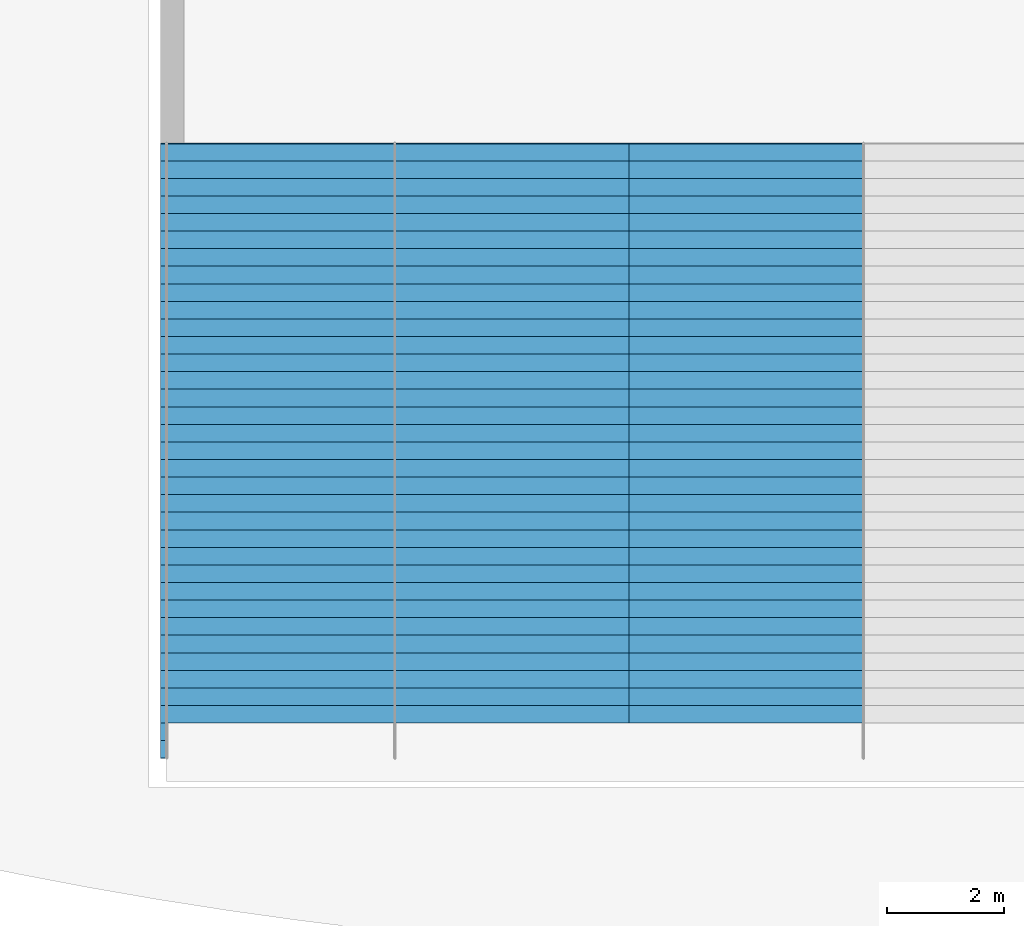
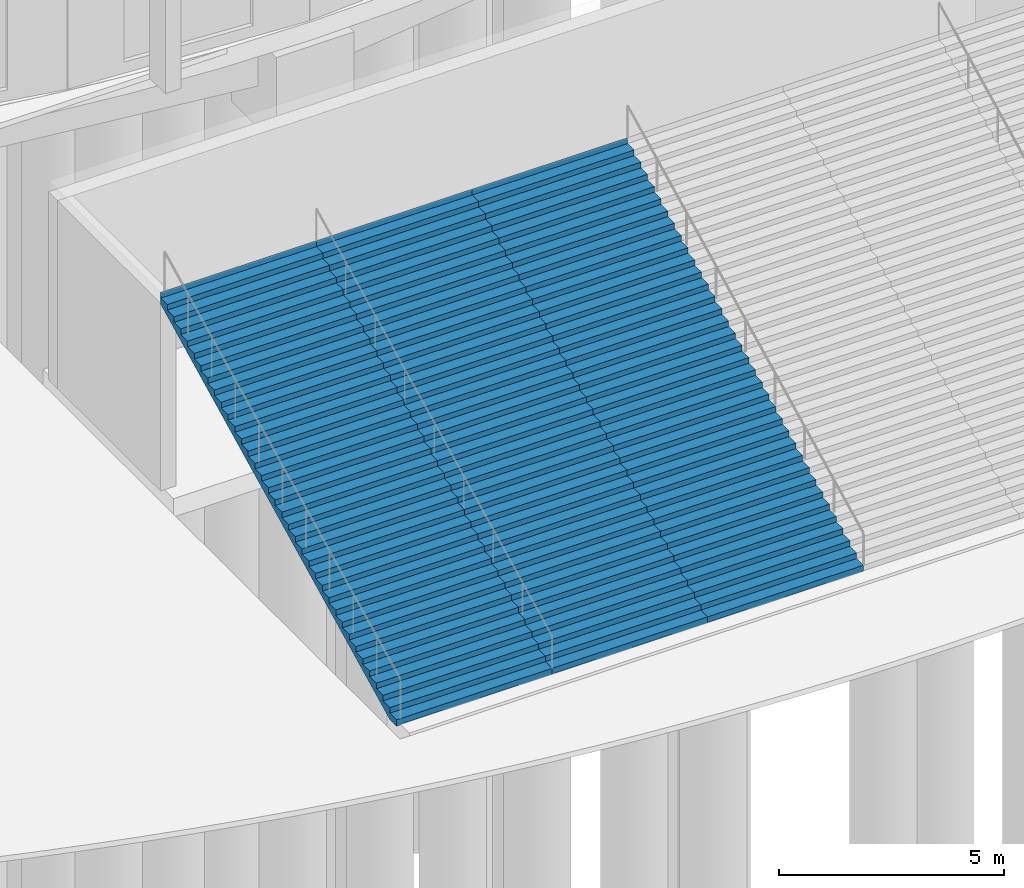
# One storey, part 28 of 41: 3 stair flights, 3 elements without a shape of their own.
"""IFC4 building model written with IfcOpenShell, lengths in metres."""

from ifc_helpers import new_model, si_unit, direction, frame, origin, place, context, subcontext, project, spatial, triangles, material, type_object, element, aggregate, save


model = new_model("IFC4")

# Units and contexts
model_context = context("Model", 3, precision=1e-05, world=origin(), true_north=direction((0.0, 1.0)))
body_context = subcontext(model_context, "Body", "Model", "MODEL_VIEW")
ifc_project = project(units=[si_unit("LENGTHUNIT", "METRE"), si_unit("AREAUNIT", "SQUARE_METRE"), si_unit("VOLUMEUNIT", "CUBIC_METRE"), si_unit("PLANEANGLEUNIT", "RADIAN"), si_unit("MASSUNIT", "GRAM", prefix="KILO")], contexts=[model_context])

# Site, building, storey
site_placement = place(None, origin())
site = spatial("IfcSite", under=ifc_project, at=site_placement, CompositionType="ELEMENT")
building_placement = place(site_placement, origin())
building = spatial("IfcBuilding", under=site, at=building_placement, Name="Maasbend Ring Residences", CompositionType="ELEMENT")
storey_placement = place(building_placement, origin())
storey = spatial("IfcBuildingStorey", under=building, at=storey_placement, Name="L00", CompositionType="ELEMENT", Elevation=0.0)

# Stair, stair flight
ifc_material_1 = material(Name="Concrete C35/45", Category="concrete")
stair_type = type_object("IfcStairType", Name="ST-BROAD", PredefinedType="STRAIGHT_RUN_STAIR", material=ifc_material_1)
stair_1_placement = place(storey_placement, origin())
stair_1 = element("IfcStair", 1, at=stair_1_placement, inside=storey, type_object=stair_type, Name="Broad stair lower flight A", PredefinedType="STRAIGHT_RUN_STAIR")
ifc_material_2 = material(Name="Concrete C35/45", Category="concrete")
stair_flight_type = type_object("IfcStairFlightType", Name="ST-BROAD-FL", PredefinedType="STRAIGHT", material=ifc_material_2)
stair_flight_1_placement = place(storey_placement, frame((-10.0, -70.60009765625, 0.0), z_axis=(0.0, 0.0, 1.0), x_axis=(0.0, 1.0, 0.0)))
stair_flight_1 = element("IfcStairFlight", 2, at=stair_flight_1_placement, type_object=stair_flight_type, Name="ST-B flight 1", NumberOfRisers=36, NumberOfTreads=35, PredefinedType="STRAIGHT", RiserHeight=0.15, TreadLength=0.3, context=body_context, shape_type="Tessellation", body=[
    triangles([(0.298095703125, 2.0, -0.02001953125), (10.5029296875, 2.0, 5.08251953125), (10.5029296875, 2.0, 5.39990234375), (10.489990234375, 2.0, 5.25), (10.199951171875, 2.0, 5.25), (10.199951171875, 2.0, 5.10009765625), (9.89990234375, 2.0, 5.10009765625), (9.89990234375, 2.0, 4.949951171875), (9.60009765625, 2.0, 4.949951171875), (9.60009765625, 2.0, 4.800048828125), (9.300048828125, 2.0, 4.800048828125), (9.300048828125, 2.0, 4.64990234375), (9.0, 2.0, 4.64990234375), (9.0, 2.0, 4.5), (8.699951171875, 2.0, 4.5), (8.699951171875, 2.0, 4.35009765625), (8.39990234375, 2.0, 4.35009765625), (8.39990234375, 2.0, 4.199951171875), (8.10009765625, 2.0, 4.199951171875), (8.10009765625, 2.0, 4.050048828125), (7.800048828125, 2.0, 4.050048828125), (7.800048828125, 2.0, 3.89990234375), (7.5, 2.0, 3.89990234375), (7.5, 2.0, 3.75), (7.199951171875, 2.0, 3.75), (7.199951171875, 2.0, 3.60009765625), (6.89990234375, 2.0, 3.60009765625), (6.89990234375, 2.0, 3.449951171875), (6.60009765625, 2.0, 3.449951171875), (6.60009765625, 2.0, 3.300048828125), (6.300048828125, 2.0, 3.300048828125), (6.300048828125, 2.0, 3.14990234375), (6.0, 2.0, 3.14990234375), (6.0, 2.0, 3.0), (5.699951171875, 2.0, 3.0), (5.699951171875, 2.0, 2.85009765625), (5.39990234375, 2.0, 2.85009765625), (5.39990234375, 2.0, 2.699951171875), (5.10009765625, 2.0, 2.699951171875), (5.10009765625, 2.0, 2.550048828125), (4.800048828125, 2.0, 2.550048828125), (4.800048828125, 2.0, 2.39990234375), (4.5, 2.0, 2.39990234375), (4.5, 2.0, 2.25), (4.199951171875, 2.0, 2.25), (4.199951171875, 2.0, 2.10009765625), (3.89990234375, 2.0, 2.10009765625), (3.89990234375, 2.0, 1.949951171875), (3.60009765625, 2.0, 1.949951171875), (3.60009765625, 2.0, 1.800048828125), (3.300048828125, 2.0, 1.800048828125), (3.300048828125, 2.0, 1.64990234375), (3.0, 2.0, 1.64990234375), (3.0, 2.0, 1.5), (2.699951171875, 2.0, 1.5), (2.699951171875, 2.0, 1.35009765625), (2.39990234375, 2.0, 1.35009765625), (2.39990234375, 2.0, 1.199951171875), (2.10009765625, 2.0, 1.199951171875), (2.10009765625, 2.0, 1.050048828125), (1.800048828125, 2.0, 1.050048828125), (1.800048828125, 2.0, 0.89990234375), (1.5, 2.0, 0.89990234375), (1.5, 2.0, 0.75), (1.199951171875, 2.0, 0.75), (1.199951171875, 2.0, 0.60009765625), (0.89990234375, 2.0, 0.60009765625), (0.89990234375, 2.0, 0.449951171875), (0.60009765625, 2.0, 0.449951171875), (0.60009765625, 2.0, 0.300048828125), (0.300048828125, 2.0, 0.300048828125), (0.300048828125, 2.0, 0.14990234375), (0.0, 2.0, 0.14990234375), (0.0, 2.0, 0.0), (-0.0029296875, 2.0, 0.0), (-0.0029296875, 2.0, -0.02001953125), (0.298095703125, -2.0, -0.02001953125), (10.5029296875, -2.0, 5.08251953125), (10.5029296875, -2.0, 5.39990234375), (10.489990234375, -2.0, 5.25), (10.199951171875, -2.0, 5.25), (10.199951171875, -2.0, 5.10009765625), (9.89990234375, -2.0, 5.10009765625), (9.89990234375, -2.0, 4.949951171875), (9.60009765625, -2.0, 4.949951171875), (9.60009765625, -2.0, 4.800048828125), (9.300048828125, -2.0, 4.800048828125), (9.300048828125, -2.0, 4.64990234375), (9.0, -2.0, 4.64990234375), (9.0, -2.0, 4.5), (8.699951171875, -2.0, 4.5), (8.699951171875, -2.0, 4.35009765625), (8.39990234375, -2.0, 4.35009765625), (8.39990234375, -2.0, 4.199951171875), (8.10009765625, -2.0, 4.199951171875), (8.10009765625, -2.0, 4.050048828125), (7.800048828125, -2.0, 4.050048828125), (7.800048828125, -2.0, 3.89990234375), (7.5, -2.0, 3.89990234375), (7.5, -2.0, 3.75), (7.199951171875, -2.0, 3.75), (7.199951171875, -2.0, 3.60009765625), (6.89990234375, -2.0, 3.60009765625), (6.89990234375, -2.0, 3.449951171875), (6.60009765625, -2.0, 3.449951171875), (6.60009765625, -2.0, 3.300048828125), (6.300048828125, -2.0, 3.300048828125), (6.300048828125, -2.0, 3.14990234375), (6.0, -2.0, 3.14990234375), (6.0, -2.0, 3.0), (5.699951171875, -2.0, 3.0), (5.699951171875, -2.0, 2.85009765625), (5.39990234375, -2.0, 2.85009765625), (5.39990234375, -2.0, 2.699951171875), (5.10009765625, -2.0, 2.699951171875), (5.10009765625, -2.0, 2.550048828125), (4.800048828125, -2.0, 2.550048828125), (4.800048828125, -2.0, 2.39990234375), (4.5, -2.0, 2.39990234375), (4.5, -2.0, 2.25), (4.199951171875, -2.0, 2.25), (4.199951171875, -2.0, 2.10009765625), (3.89990234375, -2.0, 2.10009765625), (3.89990234375, -2.0, 1.949951171875), (3.60009765625, -2.0, 1.949951171875), (3.60009765625, -2.0, 1.800048828125), (3.300048828125, -2.0, 1.800048828125), (3.300048828125, -2.0, 1.64990234375), (3.0, -2.0, 1.64990234375), (3.0, -2.0, 1.5), (2.699951171875, -2.0, 1.5), (2.699951171875, -2.0, 1.35009765625), (2.39990234375, -2.0, 1.35009765625), (2.39990234375, -2.0, 1.199951171875), (2.10009765625, -2.0, 1.199951171875), (2.10009765625, -2.0, 1.050048828125), (1.800048828125, -2.0, 1.050048828125), (1.800048828125, -2.0, 0.89990234375), (1.5, -2.0, 0.89990234375), (1.5, -2.0, 0.75), (1.199951171875, -2.0, 0.75), (1.199951171875, -2.0, 0.60009765625), (0.89990234375, -2.0, 0.60009765625), (0.89990234375, -2.0, 0.449951171875), (0.60009765625, -2.0, 0.449951171875), (0.60009765625, -2.0, 0.300048828125), (0.300048828125, -2.0, 0.300048828125), (0.300048828125, -2.0, 0.14990234375), (0.0, -2.0, 0.14990234375), (0.0, -2.0, 0.0), (-0.0029296875, -2.0, 0.0), (-0.0029296875, -2.0, -0.02001953125)], [[1, 2, 78], [1, 78, 77], [2, 3, 79], [2, 79, 78], [3, 4, 80], [3, 80, 79], [4, 5, 81], [4, 81, 80], [5, 6, 82], [5, 82, 81], [6, 7, 83], [6, 83, 82], [7, 8, 84], [7, 84, 83], [8, 9, 85], [8, 85, 84], [9, 10, 86], [9, 86, 85], [10, 11, 87], [10, 87, 86], [11, 12, 88], [11, 88, 87], [12, 13, 89], [12, 89, 88], [13, 14, 90], [13, 90, 89], [14, 15, 91], [14, 91, 90], [15, 16, 92], [15, 92, 91], [16, 17, 93], [16, 93, 92], [17, 18, 94], [17, 94, 93], [18, 19, 95], [18, 95, 94], [19, 20, 96], [19, 96, 95], [20, 21, 97], [20, 97, 96], [21, 22, 98], [21, 98, 97], [22, 23, 99], [22, 99, 98], [23, 24, 100], [23, 100, 99], [24, 25, 101], [24, 101, 100], [25, 26, 102], [25, 102, 101], [26, 27, 103], [26, 103, 102], [27, 28, 104], [27, 104, 103], [28, 29, 105], [28, 105, 104], [29, 30, 106], [29, 106, 105], [30, 31, 107], [30, 107, 106], [31, 32, 108], [31, 108, 107], [32, 33, 109], [32, 109, 108], [33, 34, 110], [33, 110, 109], [34, 35, 111], [34, 111, 110], [35, 36, 112], [35, 112, 111], [36, 37, 113], [36, 113, 112], [37, 38, 114], [37, 114, 113], [38, 39, 115], [38, 115, 114], [39, 40, 116], [39, 116, 115], [40, 41, 117], [40, 117, 116], [41, 42, 118], [41, 118, 117], [42, 43, 119], [42, 119, 118], [43, 44, 120], [43, 120, 119], [44, 45, 121], [44, 121, 120], [45, 46, 122], [45, 122, 121], [46, 47, 123], [46, 123, 122], [47, 48, 124], [47, 124, 123], [48, 49, 125], [48, 125, 124], [49, 50, 126], [49, 126, 125], [50, 51, 127], [50, 127, 126], [51, 52, 128], [51, 128, 127], [52, 53, 129], [52, 129, 128], [53, 54, 130], [53, 130, 129], [54, 55, 131], [54, 131, 130], [55, 56, 132], [55, 132, 131], [56, 57, 133], [56, 133, 132], [57, 58, 134], [57, 134, 133], [58, 59, 135], [58, 135, 134], [59, 60, 136], [59, 136, 135], [60, 61, 137], [60, 137, 136], [61, 62, 138], [61, 138, 137], [62, 63, 139], [62, 139, 138], [63, 64, 140], [63, 140, 139], [64, 65, 141], [64, 141, 140], [65, 66, 142], [65, 142, 141], [66, 67, 143], [66, 143, 142], [67, 68, 144], [67, 144, 143], [68, 69, 145], [68, 145, 144], [69, 70, 146], [69, 146, 145], [70, 71, 147], [70, 147, 146], [71, 72, 148], [71, 148, 147], [72, 73, 149], [72, 149, 148], [73, 74, 150], [73, 150, 149], [74, 75, 151], [74, 151, 150], [75, 76, 152], [75, 152, 151], [76, 1, 77], [76, 77, 152], [76, 2, 1], [2, 4, 3], [2, 5, 4], [2, 6, 5], [76, 6, 2], [6, 8, 7], [76, 8, 6], [8, 10, 9], [76, 10, 8], [10, 12, 11], [76, 12, 10], [12, 14, 13], [76, 14, 12], [14, 16, 15], [76, 16, 14], [16, 18, 17], [76, 18, 16], [18, 20, 19], [76, 20, 18], [20, 22, 21], [76, 22, 20], [22, 24, 23], [76, 24, 22], [24, 26, 25], [76, 26, 24], [26, 28, 27], [76, 28, 26], [28, 30, 29], [76, 30, 28], [30, 32, 31], [76, 32, 30], [32, 34, 33], [76, 34, 32], [34, 36, 35], [76, 36, 34], [36, 38, 37], [76, 38, 36], [38, 40, 39], [76, 40, 38], [40, 42, 41], [76, 42, 40], [42, 44, 43], [76, 44, 42], [44, 46, 45], [76, 46, 44], [46, 48, 47], [76, 48, 46], [48, 50, 49], [76, 50, 48], [50, 52, 51], [76, 52, 50], [52, 54, 53], [76, 54, 52], [54, 56, 55], [76, 56, 54], [56, 58, 57], [76, 58, 56], [58, 60, 59], [76, 60, 58], [60, 62, 61], [76, 62, 60], [62, 64, 63], [76, 64, 62], [64, 66, 65], [76, 66, 64], [66, 68, 67], [76, 68, 66], [68, 70, 69], [76, 70, 68], [70, 72, 71], [76, 72, 70], [72, 74, 73], [76, 74, 72], [74, 76, 75], [152, 77, 78], [78, 79, 80], [78, 80, 81], [78, 81, 82], [152, 78, 82], [82, 83, 84], [152, 82, 84], [84, 85, 86], [152, 84, 86], [86, 87, 88], [152, 86, 88], [88, 89, 90], [152, 88, 90], [90, 91, 92], [152, 90, 92], [92, 93, 94], [152, 92, 94], [94, 95, 96], [152, 94, 96], [96, 97, 98], [152, 96, 98], [98, 99, 100], [152, 98, 100], [100, 101, 102], [152, 100, 102], [102, 103, 104], [152, 102, 104], [104, 105, 106], [152, 104, 106], [106, 107, 108], [152, 106, 108], [108, 109, 110], [152, 108, 110], [110, 111, 112], [152, 110, 112], [112, 113, 114], [152, 112, 114], [114, 115, 116], [152, 114, 116], [116, 117, 118], [152, 116, 118], [118, 119, 120], [152, 118, 120], [120, 121, 122], [152, 120, 122], [122, 123, 124], [152, 122, 124], [124, 125, 126], [152, 124, 126], [126, 127, 128], [152, 126, 128], [128, 129, 130], [152, 128, 130], [130, 131, 132], [152, 130, 132], [132, 133, 134], [152, 132, 134], [134, 135, 136], [152, 134, 136], [136, 137, 138], [152, 136, 138], [138, 139, 140], [152, 138, 140], [140, 141, 142], [152, 140, 142], [142, 143, 144], [152, 142, 144], [144, 145, 146], [152, 144, 146], [146, 147, 148], [152, 146, 148], [148, 149, 150], [152, 148, 150], [150, 151, 152]], closed=True),
])
aggregate(stair_1, [stair_flight_1])

stair_2_placement = place(storey_placement, origin())
stair_2 = element("IfcStair", 3, at=stair_2_placement, inside=storey, type_object=stair_type, Name="Broad stair lower flight B", PredefinedType="STRAIGHT_RUN_STAIR")
stair_flight_2_placement = place(storey_placement, frame((-6.0, -70.60009765625, 0.0), z_axis=(0.0, 0.0, 1.0), x_axis=(0.0, 1.0, 0.0)))
stair_flight_2 = element("IfcStairFlight", 4, at=stair_flight_2_placement, type_object=stair_flight_type, Name="ST-B flight 1", NumberOfRisers=36, NumberOfTreads=35, PredefinedType="STRAIGHT", RiserHeight=0.15, TreadLength=0.3, context=body_context, shape_type="Tessellation", body=[
    triangles([(0.298095703125, 2.0, -0.02001953125), (10.5029296875, 2.0, 5.08251953125), (10.5029296875, 2.0, 5.39990234375), (10.489990234375, 2.0, 5.25), (10.199951171875, 2.0, 5.25), (10.199951171875, 2.0, 5.10009765625), (9.89990234375, 2.0, 5.10009765625), (9.89990234375, 2.0, 4.949951171875), (9.60009765625, 2.0, 4.949951171875), (9.60009765625, 2.0, 4.800048828125), (9.300048828125, 2.0, 4.800048828125), (9.300048828125, 2.0, 4.64990234375), (9.0, 2.0, 4.64990234375), (9.0, 2.0, 4.5), (8.699951171875, 2.0, 4.5), (8.699951171875, 2.0, 4.35009765625), (8.39990234375, 2.0, 4.35009765625), (8.39990234375, 2.0, 4.199951171875), (8.10009765625, 2.0, 4.199951171875), (8.10009765625, 2.0, 4.050048828125), (7.800048828125, 2.0, 4.050048828125), (7.800048828125, 2.0, 3.89990234375), (7.5, 2.0, 3.89990234375), (7.5, 2.0, 3.75), (7.199951171875, 2.0, 3.75), (7.199951171875, 2.0, 3.60009765625), (6.89990234375, 2.0, 3.60009765625), (6.89990234375, 2.0, 3.449951171875), (6.60009765625, 2.0, 3.449951171875), (6.60009765625, 2.0, 3.300048828125), (6.300048828125, 2.0, 3.300048828125), (6.300048828125, 2.0, 3.14990234375), (6.0, 2.0, 3.14990234375), (6.0, 2.0, 3.0), (5.699951171875, 2.0, 3.0), (5.699951171875, 2.0, 2.85009765625), (5.39990234375, 2.0, 2.85009765625), (5.39990234375, 2.0, 2.699951171875), (5.10009765625, 2.0, 2.699951171875), (5.10009765625, 2.0, 2.550048828125), (4.800048828125, 2.0, 2.550048828125), (4.800048828125, 2.0, 2.39990234375), (4.5, 2.0, 2.39990234375), (4.5, 2.0, 2.25), (4.199951171875, 2.0, 2.25), (4.199951171875, 2.0, 2.10009765625), (3.89990234375, 2.0, 2.10009765625), (3.89990234375, 2.0, 1.949951171875), (3.60009765625, 2.0, 1.949951171875), (3.60009765625, 2.0, 1.800048828125), (3.300048828125, 2.0, 1.800048828125), (3.300048828125, 2.0, 1.64990234375), (3.0, 2.0, 1.64990234375), (3.0, 2.0, 1.5), (2.699951171875, 2.0, 1.5), (2.699951171875, 2.0, 1.35009765625), (2.39990234375, 2.0, 1.35009765625), (2.39990234375, 2.0, 1.199951171875), (2.10009765625, 2.0, 1.199951171875), (2.10009765625, 2.0, 1.050048828125), (1.800048828125, 2.0, 1.050048828125), (1.800048828125, 2.0, 0.89990234375), (1.5, 2.0, 0.89990234375), (1.5, 2.0, 0.75), (1.199951171875, 2.0, 0.75), (1.199951171875, 2.0, 0.60009765625), (0.89990234375, 2.0, 0.60009765625), (0.89990234375, 2.0, 0.449951171875), (0.60009765625, 2.0, 0.449951171875), (0.60009765625, 2.0, 0.300048828125), (0.300048828125, 2.0, 0.300048828125), (0.300048828125, 2.0, 0.14990234375), (0.0, 2.0, 0.14990234375), (0.0, 2.0, 0.0), (-0.0029296875, 2.0, 0.0), (-0.0029296875, 2.0, -0.02001953125), (0.298095703125, -2.0, -0.02001953125), (10.5029296875, -2.0, 5.08251953125), (10.5029296875, -2.0, 5.39990234375), (10.489990234375, -2.0, 5.25), (10.199951171875, -2.0, 5.25), (10.199951171875, -2.0, 5.10009765625), (9.89990234375, -2.0, 5.10009765625), (9.89990234375, -2.0, 4.949951171875), (9.60009765625, -2.0, 4.949951171875), (9.60009765625, -2.0, 4.800048828125), (9.300048828125, -2.0, 4.800048828125), (9.300048828125, -2.0, 4.64990234375), (9.0, -2.0, 4.64990234375), (9.0, -2.0, 4.5), (8.699951171875, -2.0, 4.5), (8.699951171875, -2.0, 4.35009765625), (8.39990234375, -2.0, 4.35009765625), (8.39990234375, -2.0, 4.199951171875), (8.10009765625, -2.0, 4.199951171875), (8.10009765625, -2.0, 4.050048828125), (7.800048828125, -2.0, 4.050048828125), (7.800048828125, -2.0, 3.89990234375), (7.5, -2.0, 3.89990234375), (7.5, -2.0, 3.75), (7.199951171875, -2.0, 3.75), (7.199951171875, -2.0, 3.60009765625), (6.89990234375, -2.0, 3.60009765625), (6.89990234375, -2.0, 3.449951171875), (6.60009765625, -2.0, 3.449951171875), (6.60009765625, -2.0, 3.300048828125), (6.300048828125, -2.0, 3.300048828125), (6.300048828125, -2.0, 3.14990234375), (6.0, -2.0, 3.14990234375), (6.0, -2.0, 3.0), (5.699951171875, -2.0, 3.0), (5.699951171875, -2.0, 2.85009765625), (5.39990234375, -2.0, 2.85009765625), (5.39990234375, -2.0, 2.699951171875), (5.10009765625, -2.0, 2.699951171875), (5.10009765625, -2.0, 2.550048828125), (4.800048828125, -2.0, 2.550048828125), (4.800048828125, -2.0, 2.39990234375), (4.5, -2.0, 2.39990234375), (4.5, -2.0, 2.25), (4.199951171875, -2.0, 2.25), (4.199951171875, -2.0, 2.10009765625), (3.89990234375, -2.0, 2.10009765625), (3.89990234375, -2.0, 1.949951171875), (3.60009765625, -2.0, 1.949951171875), (3.60009765625, -2.0, 1.800048828125), (3.300048828125, -2.0, 1.800048828125), (3.300048828125, -2.0, 1.64990234375), (3.0, -2.0, 1.64990234375), (3.0, -2.0, 1.5), (2.699951171875, -2.0, 1.5), (2.699951171875, -2.0, 1.35009765625), (2.39990234375, -2.0, 1.35009765625), (2.39990234375, -2.0, 1.199951171875), (2.10009765625, -2.0, 1.199951171875), (2.10009765625, -2.0, 1.050048828125), (1.800048828125, -2.0, 1.050048828125), (1.800048828125, -2.0, 0.89990234375), (1.5, -2.0, 0.89990234375), (1.5, -2.0, 0.75), (1.199951171875, -2.0, 0.75), (1.199951171875, -2.0, 0.60009765625), (0.89990234375, -2.0, 0.60009765625), (0.89990234375, -2.0, 0.449951171875), (0.60009765625, -2.0, 0.449951171875), (0.60009765625, -2.0, 0.300048828125), (0.300048828125, -2.0, 0.300048828125), (0.300048828125, -2.0, 0.14990234375), (0.0, -2.0, 0.14990234375), (0.0, -2.0, 0.0), (-0.0029296875, -2.0, 0.0), (-0.0029296875, -2.0, -0.02001953125)], [[1, 2, 78], [1, 78, 77], [2, 3, 79], [2, 79, 78], [3, 4, 80], [3, 80, 79], [4, 5, 81], [4, 81, 80], [5, 6, 82], [5, 82, 81], [6, 7, 83], [6, 83, 82], [7, 8, 84], [7, 84, 83], [8, 9, 85], [8, 85, 84], [9, 10, 86], [9, 86, 85], [10, 11, 87], [10, 87, 86], [11, 12, 88], [11, 88, 87], [12, 13, 89], [12, 89, 88], [13, 14, 90], [13, 90, 89], [14, 15, 91], [14, 91, 90], [15, 16, 92], [15, 92, 91], [16, 17, 93], [16, 93, 92], [17, 18, 94], [17, 94, 93], [18, 19, 95], [18, 95, 94], [19, 20, 96], [19, 96, 95], [20, 21, 97], [20, 97, 96], [21, 22, 98], [21, 98, 97], [22, 23, 99], [22, 99, 98], [23, 24, 100], [23, 100, 99], [24, 25, 101], [24, 101, 100], [25, 26, 102], [25, 102, 101], [26, 27, 103], [26, 103, 102], [27, 28, 104], [27, 104, 103], [28, 29, 105], [28, 105, 104], [29, 30, 106], [29, 106, 105], [30, 31, 107], [30, 107, 106], [31, 32, 108], [31, 108, 107], [32, 33, 109], [32, 109, 108], [33, 34, 110], [33, 110, 109], [34, 35, 111], [34, 111, 110], [35, 36, 112], [35, 112, 111], [36, 37, 113], [36, 113, 112], [37, 38, 114], [37, 114, 113], [38, 39, 115], [38, 115, 114], [39, 40, 116], [39, 116, 115], [40, 41, 117], [40, 117, 116], [41, 42, 118], [41, 118, 117], [42, 43, 119], [42, 119, 118], [43, 44, 120], [43, 120, 119], [44, 45, 121], [44, 121, 120], [45, 46, 122], [45, 122, 121], [46, 47, 123], [46, 123, 122], [47, 48, 124], [47, 124, 123], [48, 49, 125], [48, 125, 124], [49, 50, 126], [49, 126, 125], [50, 51, 127], [50, 127, 126], [51, 52, 128], [51, 128, 127], [52, 53, 129], [52, 129, 128], [53, 54, 130], [53, 130, 129], [54, 55, 131], [54, 131, 130], [55, 56, 132], [55, 132, 131], [56, 57, 133], [56, 133, 132], [57, 58, 134], [57, 134, 133], [58, 59, 135], [58, 135, 134], [59, 60, 136], [59, 136, 135], [60, 61, 137], [60, 137, 136], [61, 62, 138], [61, 138, 137], [62, 63, 139], [62, 139, 138], [63, 64, 140], [63, 140, 139], [64, 65, 141], [64, 141, 140], [65, 66, 142], [65, 142, 141], [66, 67, 143], [66, 143, 142], [67, 68, 144], [67, 144, 143], [68, 69, 145], [68, 145, 144], [69, 70, 146], [69, 146, 145], [70, 71, 147], [70, 147, 146], [71, 72, 148], [71, 148, 147], [72, 73, 149], [72, 149, 148], [73, 74, 150], [73, 150, 149], [74, 75, 151], [74, 151, 150], [75, 76, 152], [75, 152, 151], [76, 1, 77], [76, 77, 152], [76, 2, 1], [2, 4, 3], [2, 5, 4], [2, 6, 5], [76, 6, 2], [6, 8, 7], [76, 8, 6], [8, 10, 9], [76, 10, 8], [10, 12, 11], [76, 12, 10], [12, 14, 13], [76, 14, 12], [14, 16, 15], [76, 16, 14], [16, 18, 17], [76, 18, 16], [18, 20, 19], [76, 20, 18], [20, 22, 21], [76, 22, 20], [22, 24, 23], [76, 24, 22], [24, 26, 25], [76, 26, 24], [26, 28, 27], [76, 28, 26], [28, 30, 29], [76, 30, 28], [30, 32, 31], [76, 32, 30], [32, 34, 33], [76, 34, 32], [34, 36, 35], [76, 36, 34], [36, 38, 37], [76, 38, 36], [38, 40, 39], [76, 40, 38], [40, 42, 41], [76, 42, 40], [42, 44, 43], [76, 44, 42], [44, 46, 45], [76, 46, 44], [46, 48, 47], [76, 48, 46], [48, 50, 49], [76, 50, 48], [50, 52, 51], [76, 52, 50], [52, 54, 53], [76, 54, 52], [54, 56, 55], [76, 56, 54], [56, 58, 57], [76, 58, 56], [58, 60, 59], [76, 60, 58], [60, 62, 61], [76, 62, 60], [62, 64, 63], [76, 64, 62], [64, 66, 65], [76, 66, 64], [66, 68, 67], [76, 68, 66], [68, 70, 69], [76, 70, 68], [70, 72, 71], [76, 72, 70], [72, 74, 73], [76, 74, 72], [74, 76, 75], [152, 77, 78], [78, 79, 80], [78, 80, 81], [78, 81, 82], [152, 78, 82], [82, 83, 84], [152, 82, 84], [84, 85, 86], [152, 84, 86], [86, 87, 88], [152, 86, 88], [88, 89, 90], [152, 88, 90], [90, 91, 92], [152, 90, 92], [92, 93, 94], [152, 92, 94], [94, 95, 96], [152, 94, 96], [96, 97, 98], [152, 96, 98], [98, 99, 100], [152, 98, 100], [100, 101, 102], [152, 100, 102], [102, 103, 104], [152, 102, 104], [104, 105, 106], [152, 104, 106], [106, 107, 108], [152, 106, 108], [108, 109, 110], [152, 108, 110], [110, 111, 112], [152, 110, 112], [112, 113, 114], [152, 112, 114], [114, 115, 116], [152, 114, 116], [116, 117, 118], [152, 116, 118], [118, 119, 120], [152, 118, 120], [120, 121, 122], [152, 120, 122], [122, 123, 124], [152, 122, 124], [124, 125, 126], [152, 124, 126], [126, 127, 128], [152, 126, 128], [128, 129, 130], [152, 128, 130], [130, 131, 132], [152, 130, 132], [132, 133, 134], [152, 132, 134], [134, 135, 136], [152, 134, 136], [136, 137, 138], [152, 136, 138], [138, 139, 140], [152, 138, 140], [140, 141, 142], [152, 140, 142], [142, 143, 144], [152, 142, 144], [144, 145, 146], [152, 144, 146], [146, 147, 148], [152, 146, 148], [148, 149, 150], [152, 148, 150], [150, 151, 152]], closed=True),
])
aggregate(stair_2, [stair_flight_2])

stair_3_placement = place(storey_placement, origin())
stair_3 = element("IfcStair", 5, at=stair_3_placement, inside=storey, type_object=stair_type, Name="Broad stair lower flight C", PredefinedType="STRAIGHT_RUN_STAIR")
stair_flight_3_placement = place(storey_placement, frame((-2.0, -70.60009765625, 0.0), z_axis=(0.0, 0.0, 1.0), x_axis=(0.0, 1.0, 0.0)))
stair_flight_3 = element("IfcStairFlight", 6, at=stair_flight_3_placement, type_object=stair_flight_type, Name="ST-B flight 1", NumberOfRisers=36, NumberOfTreads=35, PredefinedType="STRAIGHT", RiserHeight=0.15, TreadLength=0.3, context=body_context, shape_type="Tessellation", body=[
    triangles([(0.298095703125, 2.0, -0.02001953125), (10.5029296875, 2.0, 5.08251953125), (10.5029296875, 2.0, 5.39990234375), (10.489990234375, 2.0, 5.25), (10.199951171875, 2.0, 5.25), (10.199951171875, 2.0, 5.10009765625), (9.89990234375, 2.0, 5.10009765625), (9.89990234375, 2.0, 4.949951171875), (9.60009765625, 2.0, 4.949951171875), (9.60009765625, 2.0, 4.800048828125), (9.300048828125, 2.0, 4.800048828125), (9.300048828125, 2.0, 4.64990234375), (9.0, 2.0, 4.64990234375), (9.0, 2.0, 4.5), (8.699951171875, 2.0, 4.5), (8.699951171875, 2.0, 4.35009765625), (8.39990234375, 2.0, 4.35009765625), (8.39990234375, 2.0, 4.199951171875), (8.10009765625, 2.0, 4.199951171875), (8.10009765625, 2.0, 4.050048828125), (7.800048828125, 2.0, 4.050048828125), (7.800048828125, 2.0, 3.89990234375), (7.5, 2.0, 3.89990234375), (7.5, 2.0, 3.75), (7.199951171875, 2.0, 3.75), (7.199951171875, 2.0, 3.60009765625), (6.89990234375, 2.0, 3.60009765625), (6.89990234375, 2.0, 3.449951171875), (6.60009765625, 2.0, 3.449951171875), (6.60009765625, 2.0, 3.300048828125), (6.300048828125, 2.0, 3.300048828125), (6.300048828125, 2.0, 3.14990234375), (6.0, 2.0, 3.14990234375), (6.0, 2.0, 3.0), (5.699951171875, 2.0, 3.0), (5.699951171875, 2.0, 2.85009765625), (5.39990234375, 2.0, 2.85009765625), (5.39990234375, 2.0, 2.699951171875), (5.10009765625, 2.0, 2.699951171875), (5.10009765625, 2.0, 2.550048828125), (4.800048828125, 2.0, 2.550048828125), (4.800048828125, 2.0, 2.39990234375), (4.5, 2.0, 2.39990234375), (4.5, 2.0, 2.25), (4.199951171875, 2.0, 2.25), (4.199951171875, 2.0, 2.10009765625), (3.89990234375, 2.0, 2.10009765625), (3.89990234375, 2.0, 1.949951171875), (3.60009765625, 2.0, 1.949951171875), (3.60009765625, 2.0, 1.800048828125), (3.300048828125, 2.0, 1.800048828125), (3.300048828125, 2.0, 1.64990234375), (3.0, 2.0, 1.64990234375), (3.0, 2.0, 1.5), (2.699951171875, 2.0, 1.5), (2.699951171875, 2.0, 1.35009765625), (2.39990234375, 2.0, 1.35009765625), (2.39990234375, 2.0, 1.199951171875), (2.10009765625, 2.0, 1.199951171875), (2.10009765625, 2.0, 1.050048828125), (1.800048828125, 2.0, 1.050048828125), (1.800048828125, 2.0, 0.89990234375), (1.5, 2.0, 0.89990234375), (1.5, 2.0, 0.75), (1.199951171875, 2.0, 0.75), (1.199951171875, 2.0, 0.60009765625), (0.89990234375, 2.0, 0.60009765625), (0.89990234375, 2.0, 0.449951171875), (0.60009765625, 2.0, 0.449951171875), (0.60009765625, 2.0, 0.300048828125), (0.300048828125, 2.0, 0.300048828125), (0.300048828125, 2.0, 0.14990234375), (0.0, 2.0, 0.14990234375), (0.0, 2.0, 0.0), (-0.0029296875, 2.0, 0.0), (-0.0029296875, 2.0, -0.02001953125), (0.298095703125, -2.0, -0.02001953125), (10.5029296875, -2.0, 5.08251953125), (10.5029296875, -2.0, 5.39990234375), (10.489990234375, -2.0, 5.25), (10.199951171875, -2.0, 5.25), (10.199951171875, -2.0, 5.10009765625), (9.89990234375, -2.0, 5.10009765625), (9.89990234375, -2.0, 4.949951171875), (9.60009765625, -2.0, 4.949951171875), (9.60009765625, -2.0, 4.800048828125), (9.300048828125, -2.0, 4.800048828125), (9.300048828125, -2.0, 4.64990234375), (9.0, -2.0, 4.64990234375), (9.0, -2.0, 4.5), (8.699951171875, -2.0, 4.5), (8.699951171875, -2.0, 4.35009765625), (8.39990234375, -2.0, 4.35009765625), (8.39990234375, -2.0, 4.199951171875), (8.10009765625, -2.0, 4.199951171875), (8.10009765625, -2.0, 4.050048828125), (7.800048828125, -2.0, 4.050048828125), (7.800048828125, -2.0, 3.89990234375), (7.5, -2.0, 3.89990234375), (7.5, -2.0, 3.75), (7.199951171875, -2.0, 3.75), (7.199951171875, -2.0, 3.60009765625), (6.89990234375, -2.0, 3.60009765625), (6.89990234375, -2.0, 3.449951171875), (6.60009765625, -2.0, 3.449951171875), (6.60009765625, -2.0, 3.300048828125), (6.300048828125, -2.0, 3.300048828125), (6.300048828125, -2.0, 3.14990234375), (6.0, -2.0, 3.14990234375), (6.0, -2.0, 3.0), (5.699951171875, -2.0, 3.0), (5.699951171875, -2.0, 2.85009765625), (5.39990234375, -2.0, 2.85009765625), (5.39990234375, -2.0, 2.699951171875), (5.10009765625, -2.0, 2.699951171875), (5.10009765625, -2.0, 2.550048828125), (4.800048828125, -2.0, 2.550048828125), (4.800048828125, -2.0, 2.39990234375), (4.5, -2.0, 2.39990234375), (4.5, -2.0, 2.25), (4.199951171875, -2.0, 2.25), (4.199951171875, -2.0, 2.10009765625), (3.89990234375, -2.0, 2.10009765625), (3.89990234375, -2.0, 1.949951171875), (3.60009765625, -2.0, 1.949951171875), (3.60009765625, -2.0, 1.800048828125), (3.300048828125, -2.0, 1.800048828125), (3.300048828125, -2.0, 1.64990234375), (3.0, -2.0, 1.64990234375), (3.0, -2.0, 1.5), (2.699951171875, -2.0, 1.5), (2.699951171875, -2.0, 1.35009765625), (2.39990234375, -2.0, 1.35009765625), (2.39990234375, -2.0, 1.199951171875), (2.10009765625, -2.0, 1.199951171875), (2.10009765625, -2.0, 1.050048828125), (1.800048828125, -2.0, 1.050048828125), (1.800048828125, -2.0, 0.89990234375), (1.5, -2.0, 0.89990234375), (1.5, -2.0, 0.75), (1.199951171875, -2.0, 0.75), (1.199951171875, -2.0, 0.60009765625), (0.89990234375, -2.0, 0.60009765625), (0.89990234375, -2.0, 0.449951171875), (0.60009765625, -2.0, 0.449951171875), (0.60009765625, -2.0, 0.300048828125), (0.300048828125, -2.0, 0.300048828125), (0.300048828125, -2.0, 0.14990234375), (0.0, -2.0, 0.14990234375), (0.0, -2.0, 0.0), (-0.0029296875, -2.0, 0.0), (-0.0029296875, -2.0, -0.02001953125)], [[1, 2, 78], [1, 78, 77], [2, 3, 79], [2, 79, 78], [3, 4, 80], [3, 80, 79], [4, 5, 81], [4, 81, 80], [5, 6, 82], [5, 82, 81], [6, 7, 83], [6, 83, 82], [7, 8, 84], [7, 84, 83], [8, 9, 85], [8, 85, 84], [9, 10, 86], [9, 86, 85], [10, 11, 87], [10, 87, 86], [11, 12, 88], [11, 88, 87], [12, 13, 89], [12, 89, 88], [13, 14, 90], [13, 90, 89], [14, 15, 91], [14, 91, 90], [15, 16, 92], [15, 92, 91], [16, 17, 93], [16, 93, 92], [17, 18, 94], [17, 94, 93], [18, 19, 95], [18, 95, 94], [19, 20, 96], [19, 96, 95], [20, 21, 97], [20, 97, 96], [21, 22, 98], [21, 98, 97], [22, 23, 99], [22, 99, 98], [23, 24, 100], [23, 100, 99], [24, 25, 101], [24, 101, 100], [25, 26, 102], [25, 102, 101], [26, 27, 103], [26, 103, 102], [27, 28, 104], [27, 104, 103], [28, 29, 105], [28, 105, 104], [29, 30, 106], [29, 106, 105], [30, 31, 107], [30, 107, 106], [31, 32, 108], [31, 108, 107], [32, 33, 109], [32, 109, 108], [33, 34, 110], [33, 110, 109], [34, 35, 111], [34, 111, 110], [35, 36, 112], [35, 112, 111], [36, 37, 113], [36, 113, 112], [37, 38, 114], [37, 114, 113], [38, 39, 115], [38, 115, 114], [39, 40, 116], [39, 116, 115], [40, 41, 117], [40, 117, 116], [41, 42, 118], [41, 118, 117], [42, 43, 119], [42, 119, 118], [43, 44, 120], [43, 120, 119], [44, 45, 121], [44, 121, 120], [45, 46, 122], [45, 122, 121], [46, 47, 123], [46, 123, 122], [47, 48, 124], [47, 124, 123], [48, 49, 125], [48, 125, 124], [49, 50, 126], [49, 126, 125], [50, 51, 127], [50, 127, 126], [51, 52, 128], [51, 128, 127], [52, 53, 129], [52, 129, 128], [53, 54, 130], [53, 130, 129], [54, 55, 131], [54, 131, 130], [55, 56, 132], [55, 132, 131], [56, 57, 133], [56, 133, 132], [57, 58, 134], [57, 134, 133], [58, 59, 135], [58, 135, 134], [59, 60, 136], [59, 136, 135], [60, 61, 137], [60, 137, 136], [61, 62, 138], [61, 138, 137], [62, 63, 139], [62, 139, 138], [63, 64, 140], [63, 140, 139], [64, 65, 141], [64, 141, 140], [65, 66, 142], [65, 142, 141], [66, 67, 143], [66, 143, 142], [67, 68, 144], [67, 144, 143], [68, 69, 145], [68, 145, 144], [69, 70, 146], [69, 146, 145], [70, 71, 147], [70, 147, 146], [71, 72, 148], [71, 148, 147], [72, 73, 149], [72, 149, 148], [73, 74, 150], [73, 150, 149], [74, 75, 151], [74, 151, 150], [75, 76, 152], [75, 152, 151], [76, 1, 77], [76, 77, 152], [76, 2, 1], [2, 4, 3], [2, 5, 4], [2, 6, 5], [76, 6, 2], [6, 8, 7], [76, 8, 6], [8, 10, 9], [76, 10, 8], [10, 12, 11], [76, 12, 10], [12, 14, 13], [76, 14, 12], [14, 16, 15], [76, 16, 14], [16, 18, 17], [76, 18, 16], [18, 20, 19], [76, 20, 18], [20, 22, 21], [76, 22, 20], [22, 24, 23], [76, 24, 22], [24, 26, 25], [76, 26, 24], [26, 28, 27], [76, 28, 26], [28, 30, 29], [76, 30, 28], [30, 32, 31], [76, 32, 30], [32, 34, 33], [76, 34, 32], [34, 36, 35], [76, 36, 34], [36, 38, 37], [76, 38, 36], [38, 40, 39], [76, 40, 38], [40, 42, 41], [76, 42, 40], [42, 44, 43], [76, 44, 42], [44, 46, 45], [76, 46, 44], [46, 48, 47], [76, 48, 46], [48, 50, 49], [76, 50, 48], [50, 52, 51], [76, 52, 50], [52, 54, 53], [76, 54, 52], [54, 56, 55], [76, 56, 54], [56, 58, 57], [76, 58, 56], [58, 60, 59], [76, 60, 58], [60, 62, 61], [76, 62, 60], [62, 64, 63], [76, 64, 62], [64, 66, 65], [76, 66, 64], [66, 68, 67], [76, 68, 66], [68, 70, 69], [76, 70, 68], [70, 72, 71], [76, 72, 70], [72, 74, 73], [76, 74, 72], [74, 76, 75], [152, 77, 78], [78, 79, 80], [78, 80, 81], [78, 81, 82], [152, 78, 82], [82, 83, 84], [152, 82, 84], [84, 85, 86], [152, 84, 86], [86, 87, 88], [152, 86, 88], [88, 89, 90], [152, 88, 90], [90, 91, 92], [152, 90, 92], [92, 93, 94], [152, 92, 94], [94, 95, 96], [152, 94, 96], [96, 97, 98], [152, 96, 98], [98, 99, 100], [152, 98, 100], [100, 101, 102], [152, 100, 102], [102, 103, 104], [152, 102, 104], [104, 105, 106], [152, 104, 106], [106, 107, 108], [152, 106, 108], [108, 109, 110], [152, 108, 110], [110, 111, 112], [152, 110, 112], [112, 113, 114], [152, 112, 114], [114, 115, 116], [152, 114, 116], [116, 117, 118], [152, 116, 118], [118, 119, 120], [152, 118, 120], [120, 121, 122], [152, 120, 122], [122, 123, 124], [152, 122, 124], [124, 125, 126], [152, 124, 126], [126, 127, 128], [152, 126, 128], [128, 129, 130], [152, 128, 130], [130, 131, 132], [152, 130, 132], [132, 133, 134], [152, 132, 134], [134, 135, 136], [152, 134, 136], [136, 137, 138], [152, 136, 138], [138, 139, 140], [152, 138, 140], [140, 141, 142], [152, 140, 142], [142, 143, 144], [152, 142, 144], [144, 145, 146], [152, 144, 146], [146, 147, 148], [152, 146, 148], [148, 149, 150], [152, 148, 150], [150, 151, 152]], closed=True),
])
aggregate(stair_3, [stair_flight_3])

save(model, "model.ifc")
